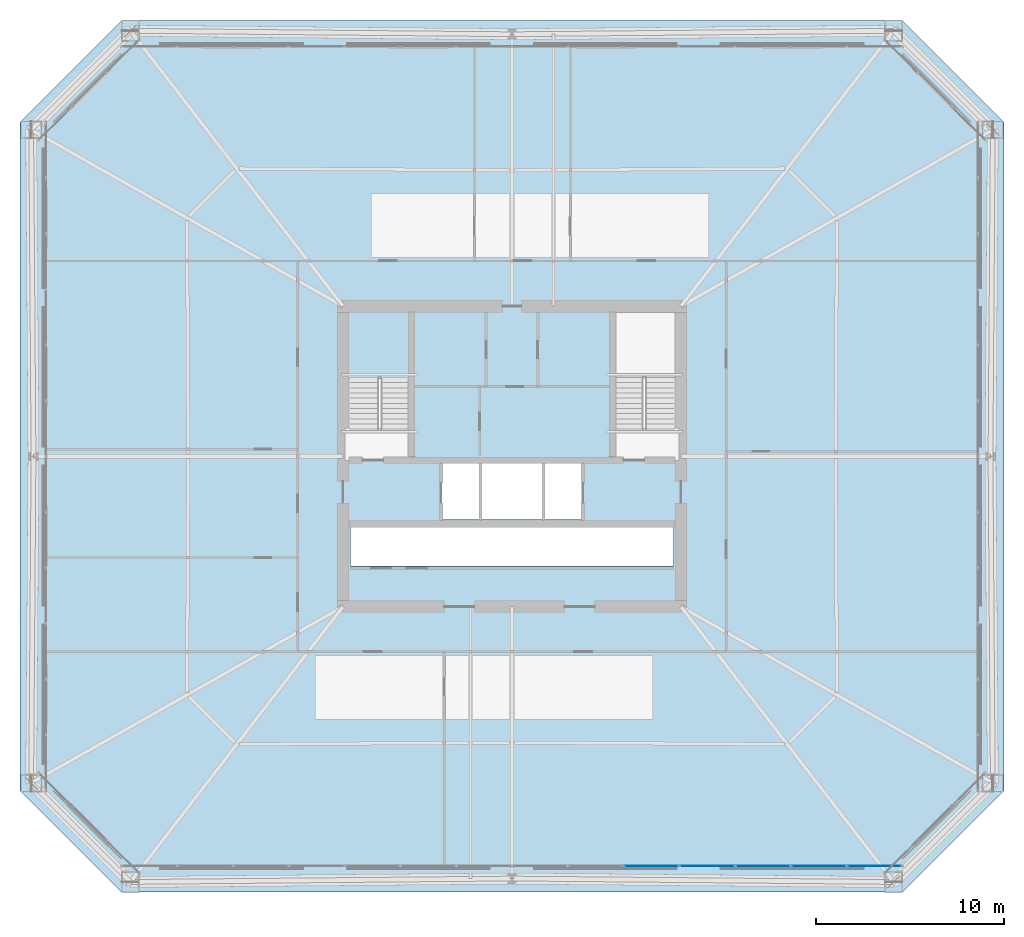
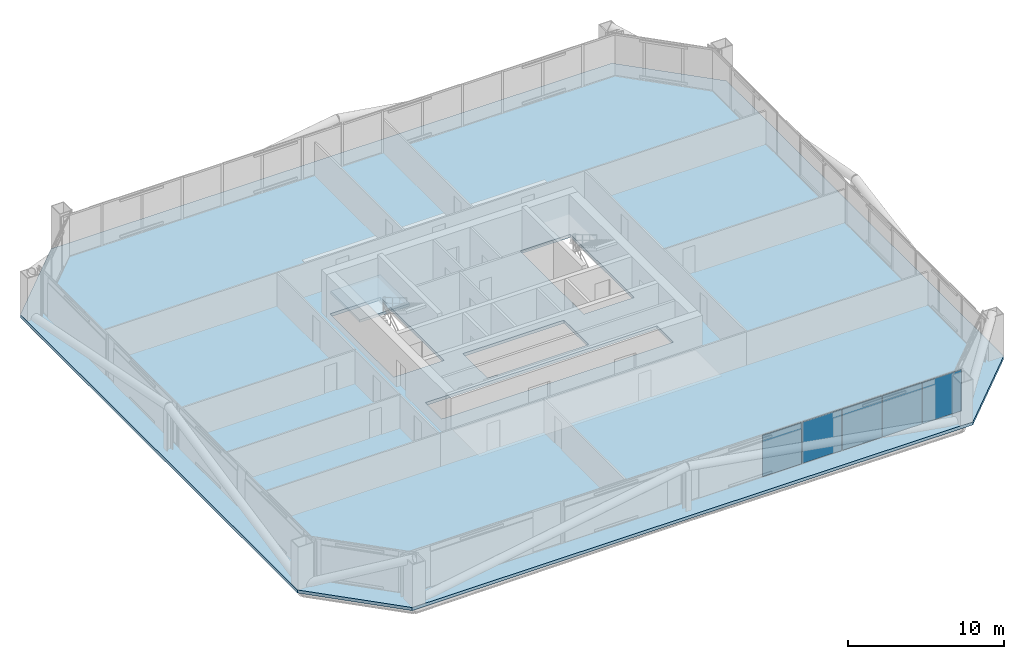
# One storey, part 43 of 50: 5 plates, 2 slabs, 2 elements without a shape of their own.
"""IFC4 building model written with IfcOpenShell, lengths in metres."""

from ifc_helpers import new_model, si_unit, direction, frame, origin, origin_2d, place, context, subcontext, project, spatial, polyline, rectangle, outline, extrude, material, layer, layer_set, type_object, element, aggregate, save


model = new_model("IFC4")

# Units and contexts
model_context = context("Model", 3, precision=1e-05, world=origin(), true_north=direction((0.0, 1.0)))
body_context = subcontext(model_context, "Body", "Model", "MODEL_VIEW")
ifc_project = project(units=[si_unit("LENGTHUNIT", "METRE"), si_unit("AREAUNIT", "SQUARE_METRE"), si_unit("VOLUMEUNIT", "CUBIC_METRE"), si_unit("PLANEANGLEUNIT", "RADIAN"), si_unit("MASSUNIT", "GRAM", prefix="KILO")], contexts=[model_context])

# Site, building, storey
site_placement = place(None, origin())
site = spatial("IfcSite", under=ifc_project, at=site_placement, CompositionType="ELEMENT")
building_placement = place(site_placement, origin())
building = spatial("IfcBuilding", under=site, at=building_placement, Name="Caelvoria Tower", CompositionType="ELEMENT")
storey_placement = place(building_placement, frame((0.0, 0.0, 71.199951171875)))
storey = spatial("IfcBuildingStorey", under=building, at=storey_placement, Name="L18", CompositionType="ELEMENT", Elevation=71.199951171875)

# Curtain wall, plates
ifc_material_1 = material(Name="Anodised Bronze Aluminium and Low-E Glass", Category="aluminium")
ifc_layer_1 = layer(ifc_material_1, 0.18505859375, Name="Anodised Bronze Aluminium and Low-E Glass")
ifc_layer_set_1 = layer_set([ifc_layer_1], Name="CW System 2 Lower Tower Bronze Unitised Facade - Anodised Bronze Aluminium and Low-E Glass")
curtain_wall_type = type_object("IfcCurtainWallType", Name="CW System 2 Lower Tower Bronze Unitised Facade", PredefinedType="NOTDEFINED", material=ifc_layer_set_1)
curtain_wall_placement = place(storey_placement, origin())
curtain_wall = element("IfcCurtainWall", 1, at=curtain_wall_placement, inside=storey, type_object=curtain_wall_type, Name="CW-02 Curtain Wall L18-E0", PredefinedType="NOTDEFINED")
ifc_material_2 = material(Name="Anodised Bronze Insulated Aluminium Panel", Category="aluminium")
ifc_layer_2 = layer(ifc_material_2, 0.031982421875, Name="Anodised Bronze Insulated Aluminium Panel")
ifc_layer_set_2 = layer_set([ifc_layer_2], Name="Insulated Bronze Spandrel Curtain Panel 32 - Anodised Bronze Insulated Aluminium Panel")
plate_type = type_object("IfcPlateType", Name="Insulated Bronze Spandrel Curtain Panel 32", PredefinedType="CURTAIN_PANEL", material=ifc_layer_set_2)
plate_1_placement = place(storey_placement, frame((53.428466796875, 10.179931640625, 0.06494140625), z_axis=(0.0, 0.0, 1.0), x_axis=(1.0, 0.0, 0.0)))
plate_1 = element("IfcPlate", 2, at=plate_1_placement, type_object=plate_type, Name="CW-02 panel 10.1", PredefinedType="CURTAIN_PANEL", context=body_context, shape_type="SweptSolid", body=[
    extrude(rectangle(XDim=2.906494140625, YDim=0.031982421875, at=origin_2d()), origin(), (0.0, 0.0, 1.0), 3.22998046875),
])
plate_2_placement = place(storey_placement, frame((56.39990234375, 10.179931640625, 0.06494140625), z_axis=(0.0, 0.0, 1.0), x_axis=(1.0, 0.0, 0.0)))
plate_2 = element("IfcPlate", 3, at=plate_2_placement, type_object=plate_type, Name="CW-02 panel 11.1", PredefinedType="CURTAIN_PANEL", context=body_context, shape_type="SweptSolid", body=[
    extrude(rectangle(XDim=2.906494140625, YDim=0.031982421875, at=origin_2d()), origin(), (0.0, 0.0, 1.0), 3.22998046875),
])
plate_3_placement = place(storey_placement, frame((59.371337890625, 10.179931640625, 0.06494140625), z_axis=(0.0, 0.0, 1.0), x_axis=(1.0, 0.0, 0.0)))
plate_3 = element("IfcPlate", 4, at=plate_3_placement, type_object=plate_type, Name="CW-02 panel 12.1", PredefinedType="CURTAIN_PANEL", context=body_context, shape_type="SweptSolid", body=[
    extrude(rectangle(XDim=2.906494140625, YDim=0.031982421875, at=origin_2d()), origin(), (0.0, 0.0, 1.0), 3.22998046875),
])
plate_4_placement = place(storey_placement, frame((62.3427734375, 10.179931640625, 0.06494140625), z_axis=(0.0, 0.0, 1.0), x_axis=(1.0, 0.0, 0.0)))
plate_4 = element("IfcPlate", 5, at=plate_4_placement, type_object=plate_type, Name="CW-02 panel 13.1", PredefinedType="CURTAIN_PANEL", context=body_context, shape_type="SweptSolid", body=[
    extrude(rectangle(XDim=2.906494140625, YDim=0.031982421875, at=origin_2d()), origin(), (0.0, 0.0, 1.0), 3.22998046875),
])
plate_5_placement = place(storey_placement, frame((65.298095703125, 10.179931640625, 0.06494140625), z_axis=(0.0, 0.0, 1.0), x_axis=(1.0, 0.0, 0.0)))
plate_5 = element("IfcPlate", 6, at=plate_5_placement, type_object=plate_type, Name="CW-02 panel 14.1", PredefinedType="CURTAIN_PANEL", context=body_context, shape_type="SweptSolid", body=[
    extrude(rectangle(XDim=2.8740234375, YDim=0.031982421875, at=origin_2d()), origin(), (0.0, 0.0, 1.0), 3.22998046875),
])
aggregate(curtain_wall, [plate_1, plate_2, plate_3, plate_4, plate_5])

# Stair, slab
ifc_material_3 = material(Name="Concrete C40/50", Category="concrete")
stair_type = type_object("IfcStairType", Name="Core Smokeproof Dogleg Stair Concrete C40/50", PredefinedType="HALF_TURN_STAIR", material=ifc_material_3)
stair_placement = place(storey_placement, origin())
stair = element("IfcStair", 7, at=stair_placement, inside=storey, type_object=stair_type, Name="ST-01 Smokeproof Exit Stair L18", PredefinedType="HALF_TURN_STAIR")
ifc_layer_3 = layer(ifc_material_3, 0.199951171875, Name="Concrete C40/50")
ifc_layer_set_3 = layer_set([ifc_layer_3], Name="Stair Half and Floor Landing Slab 200 Concrete C40/50 - Concrete C40/50")
slab_type_1 = type_object("IfcSlabType", Name="Stair Half and Floor Landing Slab 200 Concrete C40/50", PredefinedType="LANDING", material=ifc_layer_set_3)
slab_1_placement = place(storey_placement, frame((0.0, 0.0, 1.60009765625)))
slab_1 = element("IfcSlab", 8, at=slab_1_placement, type_object=slab_type_1, Name="ST-01 landing 2", PredefinedType="LANDING", context=body_context, shape_type="SweptSolid", body=[
    extrude(outline(polyline([(37.10009765625, 36.14990234375), (40.800048828125, 36.14990234375), (40.800048828125, 39.89990234375), (37.10009765625, 39.89990234375), (37.10009765625, 36.14990234375)])), origin(), (0.0, 0.0, 1.0), 0.199951171875),
])
aggregate(stair, [slab_1])

# Slab
ifc_layer_4 = layer(ifc_material_3, 0.239990234375, Name="Concrete C40/50")
ifc_layer_set_4 = layer_set([ifc_layer_4], Name="Tower Composite Office Slab 240 - Concrete C40/50")
slab_type_2 = type_object("IfcSlabType", Name="Tower Composite Office Slab 240", PredefinedType="FLOOR", material=ifc_layer_set_4)
slab_2_placement = place(storey_placement, frame((0.0, 0.0, -0.239990234375)))
element("IfcSlab", 9, at=slab_2_placement, inside=storey, type_object=slab_type_2, Name="Level L18 Structural Floor Slab", PredefinedType="FLOOR", context=body_context, shape_type="SweptSolid", body=[
    extrude(outline(polyline([(25.199951171875, 8.800048828125), (66.800048828125, 8.800048828125), (72.199951171875, 14.199951171875), (72.199951171875, 49.800048828125), (66.800048828125, 55.199951171875), (25.199951171875, 55.199951171875), (19.800048828125, 49.800048828125), (19.800048828125, 14.199951171875), (25.199951171875, 8.800048828125)]), holes=[polyline([(37.080078125, 31.75), (40.820068359375, 31.75), (40.820068359375, 39.919921875), (37.080078125, 39.919921875), (37.080078125, 31.75)]), polyline([(51.179931640625, 31.75), (54.919921875, 31.75), (54.919921875, 39.919921875), (51.179931640625, 39.919921875), (51.179931640625, 31.75)]), polyline([(42.25, 28.64990234375), (49.75, 28.64990234375), (49.75, 31.800048828125), (42.25, 31.800048828125), (42.25, 28.64990234375)]), polyline([(37.39990234375, 26.14990234375), (54.60009765625, 26.14990234375), (54.60009765625, 28.25), (37.39990234375, 28.25), (37.39990234375, 26.14990234375)])]), origin(), (0.0, 0.0, 1.0), 0.239990234375),
])

save(model, "model.ifc")
